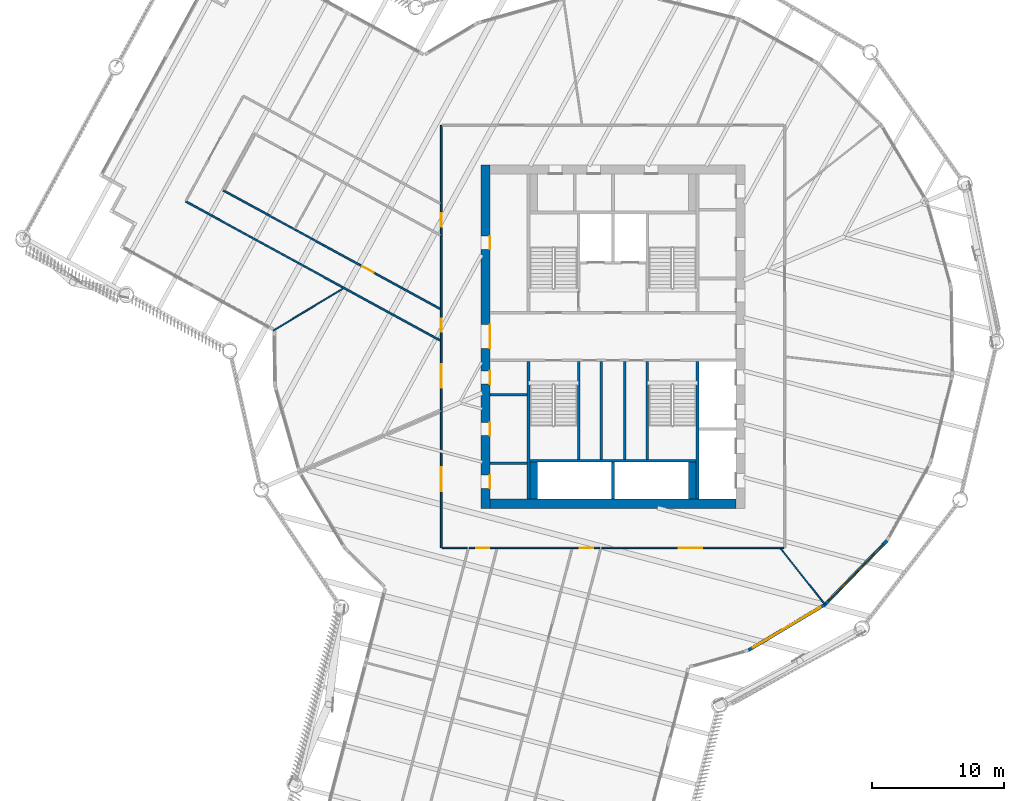
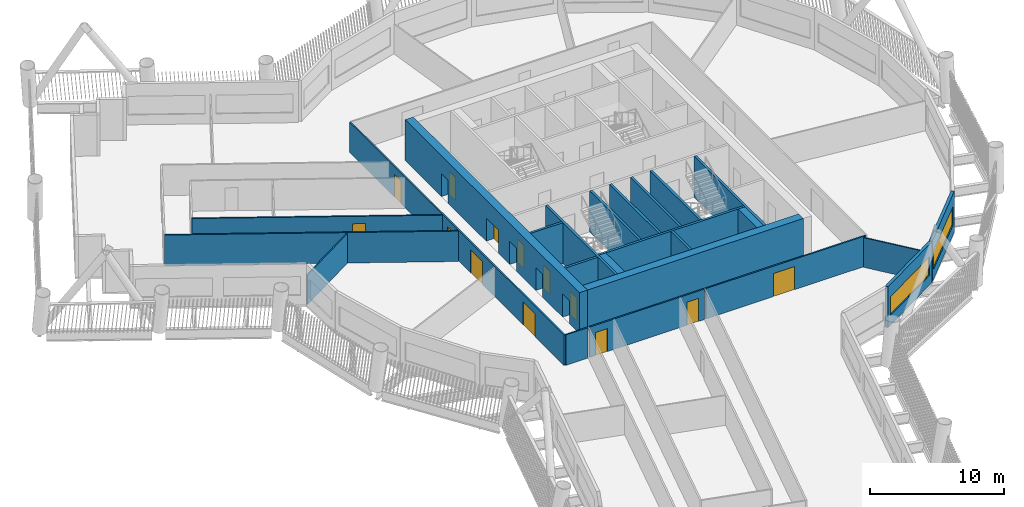
# One storey, part 4 of 24: 24 walls, 13 doors, 2 windows, 15 openings.
"""IFC4 building model written with IfcOpenShell, lengths in metres."""

from ifc_helpers import new_model, si_unit, direction, frame, frame_2d, origin, place, context, subcontext, project, spatial, rectangle, extrude, material, layer, layer_set, type_object, element, fill, save


model = new_model("IFC4")

# Units and contexts
model_context = context("Model", 3, precision=1e-05, world=origin(), true_north=direction((0.0, 1.0)))
body_context = subcontext(model_context, "Body", "Model", "MODEL_VIEW")
ifc_project = project(units=[si_unit("LENGTHUNIT", "METRE"), si_unit("AREAUNIT", "SQUARE_METRE"), si_unit("VOLUMEUNIT", "CUBIC_METRE"), si_unit("PLANEANGLEUNIT", "RADIAN"), si_unit("MASSUNIT", "GRAM", prefix="KILO")], contexts=[model_context])

# Site, building, storey
site_placement = place(None, origin())
site = spatial("IfcSite", under=ifc_project, at=site_placement, CompositionType="ELEMENT")
building_placement = place(site_placement, origin())
building = spatial("IfcBuilding", under=site, at=building_placement, Name="Tarsis Ring Headquarters", CompositionType="ELEMENT")
storey_placement = place(building_placement, frame((0.0, 0.0, 163.199951171875)))
storey = spatial("IfcBuildingStorey", under=building, at=storey_placement, Name="L37", CompositionType="ELEMENT", Elevation=163.199951171875)

# Walls
ifc_material_1 = material(Name="Blockwork", Category="masonry")
ifc_layer_1 = layer(ifc_material_1, 0.199951171875)
ifc_layer_set_1 = layer_set([ifc_layer_1], Name="Core blockwork wall 200")
wall_type_1 = type_object("IfcWallType", Name="Core blockwork wall 200", PredefinedType="PARTITIONING", material=ifc_layer_set_1)
for number, where, z_axis, x_axis, name in (
    (1, (-9.300048828125, -9.60009765625, 0.0), (0.0, 0.0, 1.0), (1.0, 0.0, 0.0), "Core partition WD1"),
    (2, (-9.300048828125, -4.39990234375, 0.0), (0.0, 0.0, 1.0), (1.0, 0.0, 0.0), "Core partition WD3"),
):
    element("IfcWall", number, at=place(storey_placement, frame(where, z_axis=z_axis, x_axis=x_axis)), inside=storey, type_object=wall_type_1, Name=name, PredefinedType="PARTITIONING", context=body_context, shape_type="SweptSolid", body=[
        extrude(rectangle(XDim=2.800048828125, YDim=0.199951171875, at=frame_2d((1.39990234375, 0.0))), origin(), (0.0, 0.0, 1.0), 3.739990234375),
    ])
for number, where, z_axis, x_axis, name in (
    (3, (-0.89990234375, -9.300048828125, 0.0), (0.0, 0.0, 1.0), (0.0, 1.0, 0.0), "Core partition SV1"),
    (4, (0.89990234375, -9.300048828125, 0.0), (0.0, 0.0, 1.0), (0.0, 1.0, 0.0), "Core partition SV2"),
):
    element("IfcWall", number, at=place(storey_placement, frame(where, z_axis=z_axis, x_axis=x_axis)), inside=storey, type_object=wall_type_1, Name=name, PredefinedType="PARTITIONING", context=body_context, shape_type="SweptSolid", body=[
        extrude(rectangle(XDim=7.400146484375, YDim=0.199951171875, at=frame_2d((3.7001953125, 0.0))), origin(), (0.0, 0.0, 1.0), 3.739990234375),
    ])

# Wall, openings, doors
ifc_material_2 = material(Name="Concrete C60/75", Category="concrete")
ifc_layer_2 = layer(ifc_material_2, 0.699951171875)
ifc_layer_set_2 = layer_set([ifc_layer_2], Name="Core wall 700 C60/75")
wall_type_2 = type_object("IfcWallType", Name="Core wall 700 C60/75", PredefinedType="SHEAR", material=ifc_layer_set_2)
wall_1_placement = place(storey_placement, frame((-9.64990234375, -13.0, 0.0), z_axis=(0.0, 0.0, 1.0), x_axis=(0.0, 1.0, 0.0)))
wall_1 = element("IfcWall", 5, at=wall_1_placement, inside=storey, type_object=wall_type_2, Name="Core wall OW", PredefinedType="SHEAR", context=body_context, shape_type="SweptSolid", body=[
    extrude(rectangle(XDim=26.0, YDim=0.699951171875, at=frame_2d((13.0, 0.0))), origin(), (0.0, 0.0, 1.0), 3.739990234375),
])
opening_1_placement = place(wall_1_placement, frame((1.5, 0.0, 0.0)))
opening_1 = element("IfcOpeningElement", 6, at=opening_1_placement, cuts=wall_1, Name="Opening L37-C01", PredefinedType="OPENING", context=body_context, shape_type="SweptSolid", body=[
    extrude(rectangle(XDim=1.0, YDim=2.10009765625, at=frame_2d((0.5, 1.050048828125))), frame((0.0, 0.35986328125, 0.0), z_axis=(0.0, -1.0, 0.0), x_axis=(1.0, 0.0, 0.0)), (0.0, 0.0, 1.0), 0.719970703125),
])
opening_2_placement = place(wall_1_placement, frame((5.5, 0.0, 0.0)))
opening_2 = element("IfcOpeningElement", 7, at=opening_2_placement, cuts=wall_1, Name="Opening L37-C02", PredefinedType="OPENING", context=body_context, shape_type="SweptSolid", body=[
    extrude(rectangle(XDim=1.0, YDim=2.10009765625, at=frame_2d((0.5, 1.050048828125))), frame((0.0, 0.35986328125, 0.0), z_axis=(0.0, -1.0, 0.0), x_axis=(1.0, 0.0, 0.0)), (0.0, 0.0, 1.0), 0.719970703125),
])
opening_3_placement = place(wall_1_placement, frame((9.39990234375, 0.0, 0.0)))
opening_3 = element("IfcOpeningElement", 8, at=opening_3_placement, cuts=wall_1, Name="Opening L37-C03", PredefinedType="OPENING", context=body_context, shape_type="SweptSolid", body=[
    extrude(rectangle(XDim=1.0, YDim=2.10009765625, at=frame_2d((0.5, 1.050048828125))), frame((0.0, 0.35986328125, 0.0), z_axis=(0.0, -1.0, 0.0), x_axis=(1.0, 0.0, 0.0)), (0.0, 0.0, 1.0), 0.719970703125),
])
opening_4_placement = place(wall_1_placement, frame((12.10009765625, 0.0, 0.0)))
opening_4 = element("IfcOpeningElement", 9, at=opening_4_placement, cuts=wall_1, Name="Opening L37-C04", PredefinedType="OPENING", context=body_context, shape_type="SweptSolid", body=[
    extrude(rectangle(XDim=1.800048828125, YDim=2.10009765625, at=frame_2d((0.89990234375, 1.050048828125))), frame((0.0, 0.35986328125, 0.0), z_axis=(0.0, -1.0, 0.0), x_axis=(1.0, 0.0, 0.0)), (0.0, 0.0, 1.0), 0.719970703125),
])
opening_5_placement = place(wall_1_placement, frame((19.60009765625, 0.0, 0.0)))
opening_5 = element("IfcOpeningElement", 10, at=opening_5_placement, cuts=wall_1, Name="Opening L37-C05", PredefinedType="OPENING", context=body_context, shape_type="SweptSolid", body=[
    extrude(rectangle(XDim=1.0, YDim=2.10009765625, at=frame_2d((0.5, 1.050048828125))), frame((0.0, 0.35986328125, 0.0), z_axis=(0.0, -1.0, 0.0), x_axis=(1.0, 0.0, 0.0)), (0.0, 0.0, 1.0), 0.719970703125),
])
ifc_material_3 = material(Name="Steel S355", Category="steel")
door_type_1 = type_object("IfcDoorType", Name="Core entry door 1800x2100", OperationType="DOUBLE_DOOR_SINGLE_SWING", PredefinedType="DOOR", material=ifc_material_3)
door_1_placement = place(opening_4_placement, origin())
door_1 = element("IfcDoor", 11, at=door_1_placement, inside=storey, type_object=door_type_1, Name="Core entry door L37", OperationType="DOUBLE_DOOR_SINGLE_SWING", OverallHeight=2.10009765625, OverallWidth=1.800048828125, PredefinedType="DOOR", context=body_context, shape_type="SweptSolid", body=[
    extrude(rectangle(XDim=1.800048828125, YDim=2.10009765625, at=frame_2d((0.89990234375, 1.050048828125))), frame((0.0, -0.2998046875, 0.0), z_axis=(0.0, -1.0, 0.0), x_axis=(1.0, 0.0, 0.0)), (0.0, 0.0, 1.0), 0.050048828125),
])
fill(opening_4, door_1)
door_type_2 = type_object("IfcDoorType", Name="Core room door 1000x2100", OperationType="SINGLE_SWING_LEFT", PredefinedType="DOOR", material=ifc_material_3)
door_2_placement = place(opening_1_placement, origin())
door_2 = element("IfcDoor", 12, at=door_2_placement, inside=storey, type_object=door_type_2, Name="Core room door L37", OperationType="SINGLE_SWING_LEFT", OverallHeight=2.10009765625, OverallWidth=1.0, PredefinedType="DOOR", context=body_context, shape_type="SweptSolid", body=[
    extrude(rectangle(XDim=1.0, YDim=2.10009765625, at=frame_2d((0.5, 1.050048828125))), frame((0.0, -0.2998046875, 0.0), z_axis=(0.0, -1.0, 0.0), x_axis=(1.0, 0.0, 0.0)), (0.0, 0.0, 1.0), 0.050048828125),
])
fill(opening_1, door_2)
door_3_placement = place(opening_2_placement, origin())
door_3 = element("IfcDoor", 13, at=door_3_placement, inside=storey, type_object=door_type_2, Name="Core room door L37", OperationType="SINGLE_SWING_LEFT", OverallHeight=2.10009765625, OverallWidth=1.0, PredefinedType="DOOR", context=body_context, shape_type="SweptSolid", body=[
    extrude(rectangle(XDim=1.0, YDim=2.10009765625, at=frame_2d((0.5, 1.050048828125))), frame((0.0, -0.2998046875, 0.0), z_axis=(0.0, -1.0, 0.0), x_axis=(1.0, 0.0, 0.0)), (0.0, 0.0, 1.0), 0.050048828125),
])
fill(opening_2, door_3)
door_4_placement = place(opening_3_placement, origin())
door_4 = element("IfcDoor", 14, at=door_4_placement, inside=storey, type_object=door_type_2, Name="Core room door L37", OperationType="SINGLE_SWING_LEFT", OverallHeight=2.10009765625, OverallWidth=1.0, PredefinedType="DOOR", context=body_context, shape_type="SweptSolid", body=[
    extrude(rectangle(XDim=1.0, YDim=2.10009765625, at=frame_2d((0.5, 1.050048828125))), frame((0.0, -0.2998046875, 0.0), z_axis=(0.0, -1.0, 0.0), x_axis=(1.0, 0.0, 0.0)), (0.0, 0.0, 1.0), 0.050048828125),
])
fill(opening_3, door_4)
door_5_placement = place(opening_5_placement, origin())
door_5 = element("IfcDoor", 15, at=door_5_placement, inside=storey, type_object=door_type_2, Name="Core room door L37", OperationType="SINGLE_SWING_LEFT", OverallHeight=2.10009765625, OverallWidth=1.0, PredefinedType="DOOR", context=body_context, shape_type="SweptSolid", body=[
    extrude(rectangle(XDim=1.0, YDim=2.10009765625, at=frame_2d((0.5, 1.050048828125))), frame((0.0, -0.2998046875, 0.0), z_axis=(0.0, -1.0, 0.0), x_axis=(1.0, 0.0, 0.0)), (0.0, 0.0, 1.0), 0.050048828125),
])
fill(opening_5, door_5)

# Walls
wall_2_placement = place(storey_placement, frame((-9.300048828125, -12.64990234375, 0.0), z_axis=(0.0, 0.0, 1.0), x_axis=(1.0, 0.0, 0.0)))
element("IfcWall", 16, at=wall_2_placement, inside=storey, type_object=wall_type_2, Name="Core wall OS", PredefinedType="SHEAR", context=body_context, shape_type="SweptSolid", body=[
    extrude(rectangle(XDim=18.60009765625, YDim=0.699951171875, at=frame_2d((9.300048828125, 0.0))), origin(), (0.0, 0.0, 1.0), 3.739990234375),
])
ifc_material_4 = material(Name="Gypsum board on steel studs", Category="steel")
ifc_layer_3 = layer(ifc_material_4, 0.10009765625)
ifc_layer_set_3 = layer_set([ifc_layer_3], Name="FL partition 100 unrated")
wall_type_3 = type_object("IfcWallType", Name="FL partition 100 unrated", PredefinedType="PARTITIONING", material=ifc_layer_set_3)
wall_3_placement = place(storey_placement, frame((-25.707763671875, 0.461181640625, 0.0), z_axis=(0.0, 0.0, 1.0), x_axis=(0.856354371974, 0.516388603284, 0.0)))
element("IfcWall", 17, at=wall_3_placement, inside=storey, type_object=wall_type_3, Name="Partition PW3", PredefinedType="PARTITIONING", context=body_context, shape_type="SweptSolid", body=[
    extrude(rectangle(XDim=6.141357421875, YDim=0.10009765625, at=frame_2d((3.07080078125, 0.0))), origin(), (0.0, 0.0, 1.0), 2.699951171875),
])
wall_4_placement = place(storey_placement, frame((12.722412109375, -16.086181640625, 0.0), z_axis=(0.0, 0.0, 1.0), x_axis=(0.6203222961, -0.784347020751, 0.0)))
element("IfcWall", 18, at=wall_4_placement, inside=storey, type_object=wall_type_3, Name="Partition PW3", PredefinedType="PARTITIONING", context=body_context, shape_type="SweptSolid", body=[
    extrude(rectangle(XDim=5.438720703125, YDim=0.10009765625, at=frame_2d((2.71923828125, 0.0))), origin(), (0.0, 0.0, 1.0), 2.699951171875),
])

# Wall, openings, doors
ifc_layer_4 = layer(ifc_material_4, 0.125)
ifc_layer_set_4 = layer_set([ifc_layer_4], Name="FL partition 125 EI 60 H2770")
wall_type_4 = type_object("IfcWallType", Name="FL partition 125 EI 60 H2770", PredefinedType="PARTITIONING", material=ifc_layer_set_4)
wall_5_placement = place(storey_placement, frame((-13.0, -16.0, 0.0), z_axis=(0.0, 0.0, 1.0), x_axis=(0.0, 1.0, 0.0)))
wall_5 = element("IfcWall", 19, at=wall_5_placement, inside=storey, type_object=wall_type_4, Name="Partition PW1", PredefinedType="PARTITIONING", context=body_context, shape_type="SweptSolid", body=[
    extrude(rectangle(XDim=32.0, YDim=0.125, at=frame_2d((16.0, 0.0))), origin(), (0.0, 0.0, 1.0), 2.77001953125),
])
opening_6_placement = place(wall_5_placement, frame((4.29541015625, 0.0, 0.0)))
opening_6 = element("IfcOpeningElement", 20, at=opening_6_placement, cuts=wall_5, Name="Opening D37.09", PredefinedType="OPENING", context=body_context, shape_type="SweptSolid", body=[
    extrude(rectangle(XDim=1.800048828125, YDim=2.10009765625, at=frame_2d((0.89990234375, 1.050048828125))), frame((0.0, 0.072509765625, 0.0), z_axis=(0.0, -1.0, 0.0), x_axis=(1.0, 0.0, 0.0)), (0.0, 0.0, 1.0), 0.14501953125),
])
opening_7_placement = place(wall_5_placement, frame((12.12158203125, 0.0, 0.0)))
opening_7 = element("IfcOpeningElement", 21, at=opening_7_placement, cuts=wall_5, Name="Opening D37.10", PredefinedType="OPENING", context=body_context, shape_type="SweptSolid", body=[
    extrude(rectangle(XDim=1.800048828125, YDim=2.10009765625, at=frame_2d((0.89990234375, 1.050048828125))), frame((0.0, 0.072509765625, 0.0), z_axis=(0.0, -1.0, 0.0), x_axis=(1.0, 0.0, 0.0)), (0.0, 0.0, 1.0), 0.14501953125),
])
opening_8_placement = place(wall_5_placement, frame((16.34912109375, 0.0, 0.0)))
opening_8 = element("IfcOpeningElement", 22, at=opening_8_placement, cuts=wall_5, Name="Opening D37.16", PredefinedType="OPENING", context=body_context, shape_type="SweptSolid", body=[
    extrude(rectangle(XDim=1.0, YDim=2.10009765625, at=frame_2d((0.5, 1.050048828125))), frame((0.0, 0.072509765625, 0.0), z_axis=(0.0, -1.0, 0.0), x_axis=(1.0, 0.0, 0.0)), (0.0, 0.0, 1.0), 0.14501953125),
])
opening_9_placement = place(wall_5_placement, frame((24.326416015625, 0.0, 0.0)))
opening_9 = element("IfcOpeningElement", 23, at=opening_9_placement, cuts=wall_5, Name="Opening D37.17", PredefinedType="OPENING", context=body_context, shape_type="SweptSolid", body=[
    extrude(rectangle(XDim=1.0, YDim=2.10009765625, at=frame_2d((0.5, 1.050048828125))), frame((0.0, 0.072509765625, 0.0), z_axis=(0.0, -1.0, 0.0), x_axis=(1.0, 0.0, 0.0)), (0.0, 0.0, 1.0), 0.14501953125),
])
ifc_material_5 = material(Name="Fire-rated timber door leaf in steel frame", Category="steel")
door_type_3 = type_object("IfcDoorType", Name="FL door FD60-1000", OperationType="NOTDEFINED", PredefinedType="DOOR", material=ifc_material_5)
door_6_placement = place(opening_8_placement, origin())
door_6 = element("IfcDoor", 24, at=door_6_placement, inside=storey, type_object=door_type_3, Name="Door D37.16", OperationType="SINGLE_SWING_LEFT", OverallHeight=2.10009765625, OverallWidth=1.0, PredefinedType="DOOR", context=body_context, shape_type="SweptSolid", body=[
    extrude(rectangle(XDim=1.0, YDim=2.10009765625, at=frame_2d((0.5, 1.050048828125))), frame((0.0, 0.02490234375, 0.0), z_axis=(0.0, -1.0, 0.0), x_axis=(1.0, 0.0, 0.0)), (0.0, 0.0, 1.0), 0.050048828125),
])
fill(opening_8, door_6)
door_7_placement = place(opening_9_placement, origin())
door_7 = element("IfcDoor", 25, at=door_7_placement, inside=storey, type_object=door_type_3, Name="Door D37.17", OperationType="SINGLE_SWING_RIGHT", OverallHeight=2.10009765625, OverallWidth=1.0, PredefinedType="DOOR", context=body_context, shape_type="SweptSolid", body=[
    extrude(rectangle(XDim=1.0, YDim=2.10009765625, at=frame_2d((0.5, 1.050048828125))), frame((0.0, 0.02490234375, 0.0), z_axis=(0.0, -1.0, 0.0), x_axis=(1.0, 0.0, 0.0)), (0.0, 0.0, 1.0), 0.050048828125),
])
fill(opening_9, door_7)
door_type_4 = type_object("IfcDoorType", Name="FL door FD60-1800", OperationType="DOUBLE_DOOR_SINGLE_SWING", PredefinedType="DOOR", material=ifc_material_5)
door_8_placement = place(opening_6_placement, origin())
door_8 = element("IfcDoor", 26, at=door_8_placement, inside=storey, type_object=door_type_4, Name="Door D37.09", OperationType="DOUBLE_DOOR_SINGLE_SWING", OverallHeight=2.10009765625, OverallWidth=1.800048828125, PredefinedType="DOOR", context=body_context, shape_type="SweptSolid", body=[
    extrude(rectangle(XDim=1.800048828125, YDim=2.10009765625, at=frame_2d((0.89990234375, 1.050048828125))), frame((0.0, 0.02490234375, 0.0), z_axis=(0.0, -1.0, 0.0), x_axis=(1.0, 0.0, 0.0)), (0.0, 0.0, 1.0), 0.050048828125),
])
fill(opening_6, door_8)
door_9_placement = place(opening_7_placement, origin())
door_9 = element("IfcDoor", 27, at=door_9_placement, inside=storey, type_object=door_type_4, Name="Door D37.10", OperationType="DOUBLE_DOOR_SINGLE_SWING", OverallHeight=2.10009765625, OverallWidth=1.800048828125, PredefinedType="DOOR", context=body_context, shape_type="SweptSolid", body=[
    extrude(rectangle(XDim=1.800048828125, YDim=2.10009765625, at=frame_2d((0.89990234375, 1.050048828125))), frame((0.0, 0.02490234375, 0.0), z_axis=(0.0, -1.0, 0.0), x_axis=(1.0, 0.0, 0.0)), (0.0, 0.0, 1.0), 0.050048828125),
])
fill(opening_7, door_9)

# Wall
wall_6_placement = place(storey_placement, frame((-12.93994140625, -16.0, 0.0), z_axis=(0.0, 0.0, 1.0), x_axis=(1.0, 0.0, 0.0)))
element("IfcWall", 28, at=wall_6_placement, inside=storey, type_object=wall_type_4, Name="Partition PW1", PredefinedType="PARTITIONING", context=body_context, shape_type="SweptSolid", body=[
    extrude(rectangle(XDim=1.913330078125, YDim=0.125, at=frame_2d((0.95654296875, 0.0))), origin(), (0.0, 0.0, 1.0), 2.77001953125),
])

# Wall, openings, doors
wall_7_placement = place(storey_placement, frame((-10.88525390625, -16.0, 0.0), z_axis=(0.0, 0.0, 1.0), x_axis=(1.0, 0.0, 0.0)))
wall_7 = element("IfcWall", 29, at=wall_7_placement, inside=storey, type_object=wall_type_4, Name="Partition PW1", PredefinedType="PARTITIONING", context=body_context, shape_type="SweptSolid", body=[
    extrude(rectangle(XDim=9.885009765625, YDim=0.125, at=frame_2d((4.9423828125, 0.0))), origin(), (0.0, 0.0, 1.0), 2.77001953125),
])
opening_10_placement = place(wall_7_placement, frame((0.52490234375, 0.0, 0.0)))
opening_10 = element("IfcOpeningElement", 30, at=opening_10_placement, cuts=wall_7, Name="Opening D37.14", PredefinedType="OPENING", context=body_context, shape_type="SweptSolid", body=[
    extrude(rectangle(XDim=1.0, YDim=2.10009765625, at=frame_2d((0.5, 1.050048828125))), frame((0.0, 0.072509765625, 0.0), z_axis=(0.0, -1.0, 0.0), x_axis=(1.0, 0.0, 0.0)), (0.0, 0.0, 1.0), 0.14501953125),
])
opening_11_placement = place(wall_7_placement, frame((8.380615234375, 0.0, 0.0)))
opening_11 = element("IfcOpeningElement", 31, at=opening_11_placement, cuts=wall_7, Name="Opening D37.15", PredefinedType="OPENING", context=body_context, shape_type="SweptSolid", body=[
    extrude(rectangle(XDim=1.0, YDim=2.10009765625, at=frame_2d((0.5, 1.050048828125))), frame((0.0, 0.072509765625, 0.0), z_axis=(0.0, -1.0, 0.0), x_axis=(1.0, 0.0, 0.0)), (0.0, 0.0, 1.0), 0.14501953125),
])
door_10_placement = place(opening_10_placement, origin())
door_10 = element("IfcDoor", 32, at=door_10_placement, inside=storey, type_object=door_type_3, Name="Door D37.14", OperationType="SINGLE_SWING_LEFT", OverallHeight=2.10009765625, OverallWidth=1.0, PredefinedType="DOOR", context=body_context, shape_type="SweptSolid", body=[
    extrude(rectangle(XDim=1.0, YDim=2.10009765625, at=frame_2d((0.5, 1.050048828125))), frame((0.0, 0.02490234375, 0.0), z_axis=(0.0, -1.0, 0.0), x_axis=(1.0, 0.0, 0.0)), (0.0, 0.0, 1.0), 0.050048828125),
])
fill(opening_10, door_10)
door_11_placement = place(opening_11_placement, origin())
door_11 = element("IfcDoor", 33, at=door_11_placement, inside=storey, type_object=door_type_3, Name="Door D37.15", OperationType="SINGLE_SWING_RIGHT", OverallHeight=2.10009765625, OverallWidth=1.0, PredefinedType="DOOR", context=body_context, shape_type="SweptSolid", body=[
    extrude(rectangle(XDim=1.0, YDim=2.10009765625, at=frame_2d((0.5, 1.050048828125))), frame((0.0, 0.02490234375, 0.0), z_axis=(0.0, -1.0, 0.0), x_axis=(1.0, 0.0, 0.0)), (0.0, 0.0, 1.0), 0.050048828125),
])
fill(opening_11, door_11)

# Wall, opening, door
wall_8_placement = place(storey_placement, frame((-0.85888671875, -16.0, 0.0), z_axis=(0.0, 0.0, 1.0), x_axis=(1.0, 0.0, 0.0)))
wall_8 = element("IfcWall", 34, at=wall_8_placement, inside=storey, type_object=wall_type_4, Name="Partition PW1", PredefinedType="PARTITIONING", context=body_context, shape_type="SweptSolid", body=[
    extrude(rectangle(XDim=13.798828125, YDim=0.125, at=frame_2d((6.8994140625, 0.0))), origin(), (0.0, 0.0, 1.0), 2.77001953125),
])
opening_12_placement = place(wall_8_placement, frame((5.826416015625, 0.0, 0.0)))
opening_12 = element("IfcOpeningElement", 35, at=opening_12_placement, cuts=wall_8, Name="Opening D37.07", PredefinedType="OPENING", context=body_context, shape_type="SweptSolid", body=[
    extrude(rectangle(XDim=1.800048828125, YDim=2.10009765625, at=frame_2d((0.89990234375, 1.050048828125))), frame((0.0, 0.072509765625, 0.0), z_axis=(0.0, -1.0, 0.0), x_axis=(1.0, 0.0, 0.0)), (0.0, 0.0, 1.0), 0.14501953125),
])
door_12_placement = place(opening_12_placement, origin())
door_12 = element("IfcDoor", 36, at=door_12_placement, inside=storey, type_object=door_type_4, Name="Door D37.07", OperationType="DOUBLE_DOOR_SINGLE_SWING", OverallHeight=2.10009765625, OverallWidth=1.800048828125, PredefinedType="DOOR", context=body_context, shape_type="SweptSolid", body=[
    extrude(rectangle(XDim=1.800048828125, YDim=2.10009765625, at=frame_2d((0.89990234375, 1.050048828125))), frame((0.0, 0.02490234375, 0.0), z_axis=(0.0, -1.0, 0.0), x_axis=(1.0, 0.0, 0.0)), (0.0, 0.0, 1.0), 0.050048828125),
])
fill(opening_12, door_12)

# Wall
wall_9_placement = place(storey_placement, frame((-32.356689453125, 10.232421875, 0.0), z_axis=(0.0, 0.0, 1.0), x_axis=(0.877477155391, -0.479618433515, 0.0)))
element("IfcWall", 37, at=wall_9_placement, inside=storey, type_object=wall_type_4, Name="Partition PW1", PredefinedType="PARTITIONING", context=body_context, shape_type="SweptSolid", body=[
    extrude(rectangle(XDim=21.959716796875, YDim=0.125, at=frame_2d((10.97998046875, 0.0))), origin(), (0.0, 0.0, 1.0), 2.77001953125),
])

# Wall, opening, door
wall_10_placement = place(storey_placement, frame((-29.5068359375, 11.06787109375, 0.0), z_axis=(0.0, 0.0, 1.0), x_axis=(0.877480883476, -0.479611612801, 0.0)))
wall_10 = element("IfcWall", 38, at=wall_10_placement, inside=storey, type_object=wall_type_4, Name="Partition PW1", PredefinedType="PARTITIONING", context=body_context, shape_type="SweptSolid", body=[
    extrude(rectangle(XDim=18.711669921875, YDim=0.125, at=frame_2d((9.35595703125, 0.0))), origin(), (0.0, 0.0, 1.0), 2.77001953125),
])
opening_13_placement = place(wall_10_placement, frame((11.98388671875, 0.0, 0.0)))
opening_13 = element("IfcOpeningElement", 39, at=opening_13_placement, cuts=wall_10, Name="Opening D37.11", PredefinedType="OPENING", context=body_context, shape_type="SweptSolid", body=[
    extrude(rectangle(XDim=1.0, YDim=2.10009765625, at=frame_2d((0.5, 1.050048828125))), frame((0.0, 0.072509765625, 0.0), z_axis=(0.0, -1.0, 0.0), x_axis=(1.0, 0.0, 0.0)), (0.0, 0.0, 1.0), 0.14501953125),
])
door_13_placement = place(opening_13_placement, origin())
door_13 = element("IfcDoor", 40, at=door_13_placement, inside=storey, type_object=door_type_3, Name="Door D37.11", OperationType="SINGLE_SWING_RIGHT", OverallHeight=2.10009765625, OverallWidth=1.0, PredefinedType="DOOR", context=body_context, shape_type="SweptSolid", body=[
    extrude(rectangle(XDim=1.0, YDim=2.10009765625, at=frame_2d((0.5, 1.050048828125))), frame((0.0, 0.02490234375, 0.0), z_axis=(0.0, -1.0, 0.0), x_axis=(1.0, 0.0, 0.0)), (0.0, 0.0, 1.0), 0.050048828125),
])
fill(opening_13, door_13)

# Wall, opening, window
ifc_material_6 = material(Name="Terracotta clad insulated panel wall", Category="masonry")
ifc_layer_5 = layer(ifc_material_6, 0.25)
ifc_layer_set_5 = layer_set([ifc_layer_5], Name="Facade wall terracotta panel 250")
wall_type_5 = type_object("IfcWallType", Name="Facade wall terracotta panel 250", PredefinedType="STANDARD", material=ifc_layer_set_5)
wall_11_placement = place(storey_placement, frame((10.26513671875, -23.748291015625, 0.0), z_axis=(0.0, 0.0, 1.0), x_axis=(0.858593454483, 0.512657078288, 0.0)))
wall_11 = element("IfcWall", 41, at=wall_11_placement, inside=storey, type_object=wall_type_5, Name="External wall L37-18", PredefinedType="STANDARD", context=body_context, shape_type="SweptSolid", body=[
    extrude(rectangle(XDim=6.721435546875, YDim=0.25, at=frame_2d((3.36083984375, 0.0))), origin(), (0.0, 0.0, 1.0), 3.739990234375),
])
opening_14_placement = place(wall_11_placement, frame((0.3857421875, 0.0, 0.89990234375)))
opening_14 = element("IfcOpeningElement", 42, at=opening_14_placement, cuts=wall_11, Name="Opening WN07", PredefinedType="OPENING", context=body_context, shape_type="SweptSolid", body=[
    extrude(rectangle(XDim=5.949951171875, YDim=1.699951171875, at=frame_2d((2.97509765625, 0.85009765625))), frame((0.0, 0.135009765625, 0.0), z_axis=(0.0, -1.0, 0.0), x_axis=(1.0, 0.0, 0.0)), (0.0, 0.0, 1.0), 0.27001953125),
])
ifc_material_7 = material(Name="Aluminium framed double glazing", Category="aluminium")
window_type = type_object("IfcWindowType", Name="Facade window 5950 x 1700", PartitioningType="SINGLE_PANEL", PredefinedType="WINDOW", material=ifc_material_7)
window_1_placement = place(opening_14_placement, origin())
window_1 = element("IfcWindow", 43, at=window_1_placement, inside=storey, type_object=window_type, Name="Window L37-18.1", OverallHeight=1.699951171875, OverallWidth=5.949951171875, PartitioningType="SINGLE_PANEL", PredefinedType="WINDOW", context=body_context, shape_type="SweptSolid", body=[
    extrude(rectangle(XDim=5.949951171875, YDim=1.699951171875, at=frame_2d((2.97509765625, 0.85009765625))), frame((0.0, 0.030029296875, 0.0), z_axis=(0.0, -1.0, 0.0), x_axis=(1.0, 0.0, 0.0)), (0.0, 0.0, 1.0), 0.06005859375),
])
fill(opening_14, window_1)

wall_12_placement = place(storey_placement, frame((16.061767578125, -20.2822265625, 0.0), z_axis=(0.0, 0.0, 1.0), x_axis=(0.69666073492, 0.717400739072, 0.0)))
wall_12 = element("IfcWall", 44, at=wall_12_placement, inside=storey, type_object=wall_type_5, Name="External wall L37-19", PredefinedType="STANDARD", context=body_context, shape_type="SweptSolid", body=[
    extrude(rectangle(XDim=6.721435546875, YDim=0.25, at=frame_2d((3.36083984375, 0.0))), origin(), (0.0, 0.0, 1.0), 3.739990234375),
])
opening_15_placement = place(wall_12_placement, frame((0.3857421875, 0.0, 0.89990234375)))
opening_15 = element("IfcOpeningElement", 45, at=opening_15_placement, cuts=wall_12, Name="Opening WN07", PredefinedType="OPENING", context=body_context, shape_type="SweptSolid", body=[
    extrude(rectangle(XDim=5.949951171875, YDim=1.699951171875, at=frame_2d((2.97509765625, 0.85009765625))), frame((0.0, 0.135009765625, 0.0), z_axis=(0.0, -1.0, 0.0), x_axis=(1.0, 0.0, 0.0)), (0.0, 0.0, 1.0), 0.27001953125),
])
window_2_placement = place(opening_15_placement, origin())
window_2 = element("IfcWindow", 46, at=window_2_placement, inside=storey, type_object=window_type, Name="Window L37-19.1", OverallHeight=1.699951171875, OverallWidth=5.949951171875, PartitioningType="SINGLE_PANEL", PredefinedType="WINDOW", context=body_context, shape_type="SweptSolid", body=[
    extrude(rectangle(XDim=5.949951171875, YDim=1.699951171875, at=frame_2d((2.97509765625, 0.85009765625))), frame((0.0, 0.030029296875, 0.0), z_axis=(0.0, -1.0, 0.0), x_axis=(1.0, 0.0, 0.0)), (0.0, 0.0, 1.0), 0.06005859375),
])
fill(opening_15, window_2)

# Walls
ifc_material_8 = material(Name="Concrete C32/40", Category="concrete")
ifc_layer_6 = layer(ifc_material_8, 0.60009765625)
ifc_layer_set_6 = layer_set([ifc_layer_6], Name="Shaft end wall 600 C32/40")
wall_type_6 = type_object("IfcWallType", Name="Shaft end wall 600 C32/40", PredefinedType="SOLIDWALL", material=ifc_layer_set_6)
for number, where, z_axis, x_axis, name in (
    (47, (-6.0, -12.300048828125, 0.0), (0.0, 0.0, 1.0), (0.0, 1.0, 0.0), "Core shaft wall SNE1"),
    (48, (6.0, -12.300048828125, 0.0), (0.0, 0.0, 1.0), (0.0, 1.0, 0.0), "Core shaft wall SNE2"),
):
    element("IfcWall", number, at=place(storey_placement, frame(where, z_axis=z_axis, x_axis=x_axis)), inside=storey, type_object=wall_type_6, Name=name, PredefinedType="SOLIDWALL", context=body_context, shape_type="SweptSolid", body=[
        extrude(rectangle(XDim=2.800048828125, YDim=0.60009765625, at=frame_2d((1.39990234375, 0.0))), origin(), (0.0, 0.0, 1.0), 3.739990234375),
    ])
ifc_layer_7 = layer(ifc_material_8, 0.199951171875)
ifc_layer_set_7 = layer_set([ifc_layer_7], Name="Shaft wall 200 C32/40")
wall_type_7 = type_object("IfcWallType", Name="Shaft wall 200 C32/40", PredefinedType="SOLIDWALL", material=ifc_layer_set_7)
for number, where, z_axis, x_axis, name in (
    (49, (-6.39990234375, -12.300048828125, 0.0), (0.0, 0.0, 1.0), (0.0, 1.0, 0.0), "Core shaft wall WB1"),
    (50, (6.39990234375, -12.300048828125, 0.0), (0.0, 0.0, 1.0), (0.0, 1.0, 0.0), "Core shaft wall EB1"),
):
    element("IfcWall", number, at=place(storey_placement, frame(where, z_axis=z_axis, x_axis=x_axis)), inside=storey, type_object=wall_type_7, Name=name, PredefinedType="SOLIDWALL", context=body_context, shape_type="SweptSolid", body=[
        extrude(rectangle(XDim=10.400146484375, YDim=0.199951171875, at=frame_2d((5.2001953125, 0.0))), origin(), (0.0, 0.0, 1.0), 3.739990234375),
    ])
wall_13_placement = place(storey_placement, frame((-6.300048828125, -9.39990234375, 0.0), z_axis=(0.0, 0.0, 1.0), x_axis=(1.0, 0.0, 0.0)))
element("IfcWall", 51, at=wall_13_placement, inside=storey, type_object=wall_type_7, Name="Core shaft wall SB", PredefinedType="SOLIDWALL", context=body_context, shape_type="SweptSolid", body=[
    extrude(rectangle(XDim=12.60009765625, YDim=0.199951171875, at=frame_2d((6.300048828125, 0.0))), origin(), (0.0, 0.0, 1.0), 3.739990234375),
])
for number, where, z_axis, x_axis, name in (
    (52, (-2.60009765625, -9.300048828125, 0.0), (0.0, 0.0, 1.0), (0.0, 1.0, 0.0), "Core shaft wall SW3"),
    (53, (2.60009765625, -9.300048828125, 0.0), (0.0, 0.0, 1.0), (0.0, 1.0, 0.0), "Core shaft wall SW4"),
):
    element("IfcWall", number, at=place(storey_placement, frame(where, z_axis=z_axis, x_axis=x_axis)), inside=storey, type_object=wall_type_7, Name=name, PredefinedType="SOLIDWALL", context=body_context, shape_type="SweptSolid", body=[
        extrude(rectangle(XDim=7.400146484375, YDim=0.199951171875, at=frame_2d((3.7001953125, 0.0))), origin(), (0.0, 0.0, 1.0), 3.739990234375),
    ])
wall_14_placement = place(storey_placement, frame((0.0, -12.300048828125, 0.0), z_axis=(0.0, 0.0, 1.0), x_axis=(0.0, 1.0, 0.0)))
element("IfcWall", 54, at=wall_14_placement, inside=storey, type_object=wall_type_7, Name="Core shaft wall SD2", PredefinedType="SOLIDWALL", context=body_context, shape_type="SweptSolid", body=[
    extrude(rectangle(XDim=2.800048828125, YDim=0.199951171875, at=frame_2d((1.39990234375, 0.0))), origin(), (0.0, 0.0, 1.0), 3.739990234375),
])

save(model, "model.ifc")
